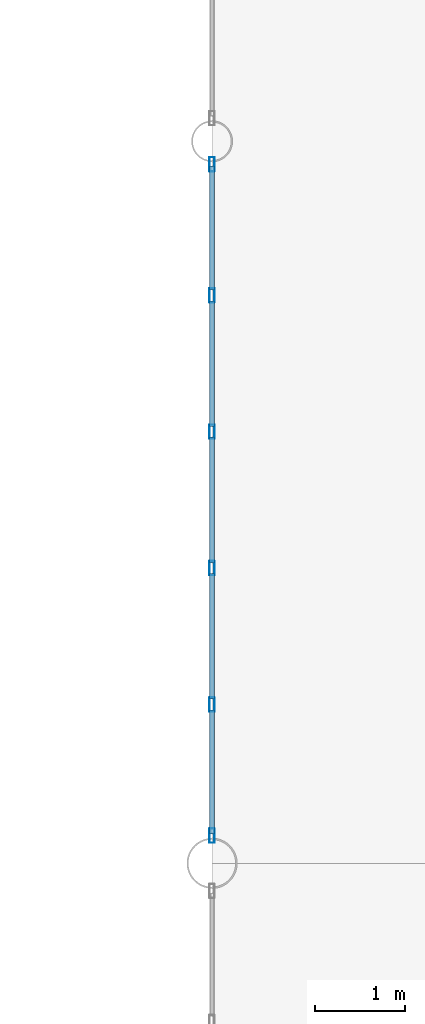
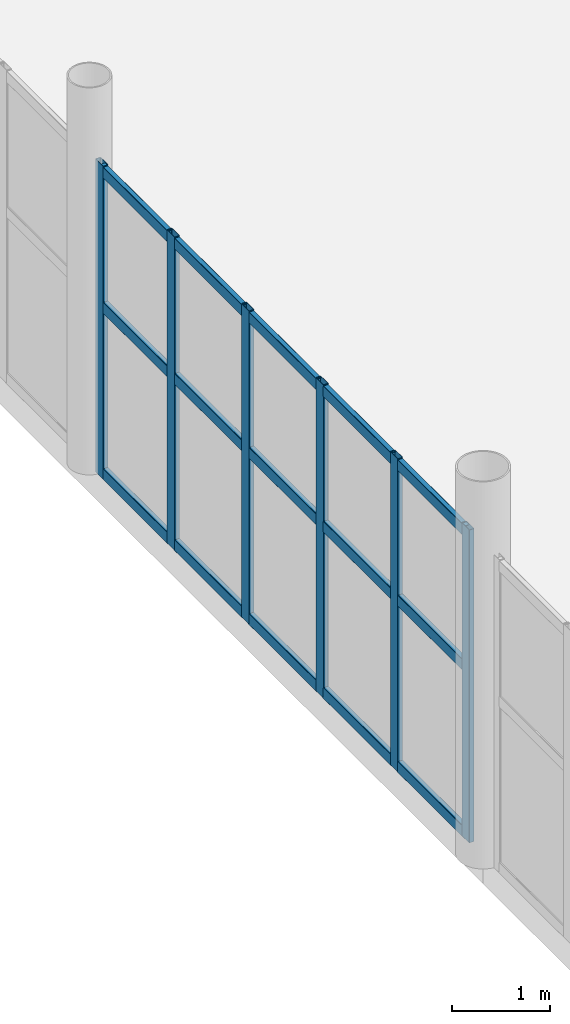
# One storey, part 42 of 178: 21 members, 1 element without a shape of its own.
"""IFC4 building model written with IfcOpenShell, lengths in metres."""

import ifcopenshell
import ifcopenshell.guid

model = None  # the IFC model being written
_history = None  # IfcOwnerHistory: only IFC2X3 demands one
_inside = {}  # id of a spatial element -> (the spatial element, [elements in it])
_under = {}  # id of a project, library or spatial element -> (it, [spatial elements below it])
_declared = {}  # id of a project -> (the project, [libraries it declares])
_typed = {}  # id of a type object -> (the type object, [elements of that type])
_made_of = {}  # id of a material, layer set ... -> (it, [elements and type objects made of it])


def new_model(schema):
    """Start an empty IFC model of exactly this schema.

    Asked for "IFC4X3", IfcOpenShell would pick the latest addendum, in which some entities
    have other attributes; the version numbers below select the first issue.
    IFC2X3 requires an IfcOwnerHistory on every rooted entity: one is made here for all.
    """
    global model, _history
    if schema == "IFC4X3":
        model = ifcopenshell.file(schema_version=(4, 3, 0, 0))
    else:
        model = ifcopenshell.file(schema=schema)
    _inside.clear()
    _under.clear()
    _declared.clear()
    _typed.clear()
    _made_of.clear()
    _history = None
    if model.schema == "IFC2X3":
        org = make("IfcOrganization", Name="unknown")
        user = make(
            "IfcPersonAndOrganization",
            ThePerson=make("IfcPerson", FamilyName="unknown"),
            TheOrganization=org,
        )
        app = make(
            "IfcApplication",
            ApplicationDeveloper=org,
            Version="unknown",
            ApplicationFullName="unknown",
            ApplicationIdentifier="unknown",
        )
        _history = make(
            "IfcOwnerHistory",
            OwningUser=user,
            OwningApplication=app,
            ChangeAction="ADDED",
            CreationDate=0,
        )
    return model


def make(cls, **values):
    """One entity of the class cls with the attributes given. An attribute that is None is left unset."""
    return model.create_entity(
        cls, **{name: value for name, value in values.items() if value is not None}
    )


def rooted(cls, **values):
    """An entity with a GlobalId (a new one), such as an element, a storey or a relation."""
    return make(cls, GlobalId=ifcopenshell.guid.new(), OwnerHistory=_history, **values)


def si_unit(unit_type, name, prefix=None):
    """IfcSIUnit, for example si_unit("LENGTHUNIT", "METRE", prefix="MILLI")."""
    return make("IfcSIUnit", UnitType=unit_type, Prefix=prefix, Name=name)


def derived_unit(unit_type, elements):
    """IfcDerivedUnit: a product of units, each with its exponent."""
    return make(
        "IfcDerivedUnit",
        Elements=[
            make("IfcDerivedUnitElement", Unit=unit, Exponent=power)
            for unit, power in elements
        ],
        UnitType=unit_type,
    )


def assignment(units):
    """IfcUnitAssignment: the units of a project."""
    return None if units is None else make("IfcUnitAssignment", Units=units)


def point(xyz):
    """IfcCartesianPoint."""
    return None if xyz is None else make("IfcCartesianPoint", Coordinates=xyz)


def direction(xyz):
    """IfcDirection."""
    return None if xyz is None else make("IfcDirection", DirectionRatios=xyz)


def frame(location, z_axis=None, x_axis=None):
    """IfcAxis2Placement3D, a coordinate frame: its origin and axes. An axis left out is left unset."""
    return make(
        "IfcAxis2Placement3D",
        Location=point(location),
        Axis=direction(z_axis),
        RefDirection=direction(x_axis),
    )


def frame_2d(location, x_axis=None):
    """IfcAxis2Placement2D, a coordinate frame in the plane: its origin and x axis."""
    return make(
        "IfcAxis2Placement2D", Location=point(location), RefDirection=direction(x_axis)
    )


def origin():
    """The frame at (0, 0, 0) with its axes left unset."""
    return frame((0.0, 0.0, 0.0))


def origin_2d():
    """The frame at (0, 0) in the plane with its x axis left unset."""
    return frame_2d((0.0, 0.0))


def place(relative_to, where):
    """IfcLocalPlacement: puts the frame where relative to a parent placement (None: the world)."""
    return make(
        "IfcLocalPlacement", PlacementRelTo=relative_to, RelativePlacement=where
    )


def context(
    kind, dimensions, precision=None, world=None, true_north=None, identifier=None
):
    """IfcGeometricRepresentationContext, for example the 3D "Model" context."""
    return make(
        "IfcGeometricRepresentationContext",
        ContextIdentifier=identifier,
        ContextType=kind,
        CoordinateSpaceDimension=dimensions,
        Precision=precision,
        WorldCoordinateSystem=world,
        TrueNorth=true_north,
    )


def subcontext(parent, identifier, kind, view, scale=None):
    """IfcGeometricRepresentationSubContext, for example "Body" below "Model"."""
    return make(
        "IfcGeometricRepresentationSubContext",
        ContextIdentifier=identifier,
        ContextType=kind,
        ParentContext=parent,
        TargetScale=scale,
        TargetView=view,
    )


def project(units=None, contexts=None):
    """IfcProject with its units and contexts."""
    return rooted(
        "IfcProject",
        Name="project",
        RepresentationContexts=contexts,
        UnitsInContext=assignment(units),
    )


def spatial(cls, under=None, at=None, **own):
    """A site, building, storey or space (cls), placed at a placement, below another one or the project."""
    s = rooted(cls, ObjectPlacement=at, **own)
    if under is not None:
        _under.setdefault(under.id(), (under, []))[1].append(s)
    return s


def profile(cls, at=None, kind="AREA", **sizes):
    """A parametric profile (cls). Its sizes go by their IFC names, for example OverallWidth=200.0."""
    return make(cls, ProfileType=kind, Position=at, **sizes)


def hollow_rectangle(**sizes):
    """IfcRectangleHollowProfileDef."""
    return profile("IfcRectangleHollowProfileDef", **sizes)


def extrude(swept, where, along, depth):
    """IfcExtrudedAreaSolid: the profile swept, set in the frame where, extruded along a direction by depth."""
    return make(
        "IfcExtrudedAreaSolid",
        SweptArea=swept,
        Position=where,
        ExtrudedDirection=direction(along),
        Depth=depth,
    )


def shape(context_of_items, identifier, shape_type, items):
    """IfcShapeRepresentation: the items that make up one representation, for example the "Body"."""
    return make(
        "IfcShapeRepresentation",
        ContextOfItems=context_of_items,
        RepresentationIdentifier=identifier,
        RepresentationType=shape_type,
        Items=items,
    )


def material(Name=None, Category=None):
    """IfcMaterial."""
    return make("IfcMaterial", Name=Name, Category=Category)


def material_profile(
    of_material, cross_section, Name=None, Category=None, Priority=None
):
    """IfcMaterialProfile: a cross section and its material."""
    return make(
        "IfcMaterialProfile",
        Name=Name,
        Material=of_material,
        Profile=cross_section,
        Priority=Priority,
        Category=Category,
    )


def profile_set(profiles, Name=None, composite=None):
    """IfcMaterialProfileSet."""
    return make(
        "IfcMaterialProfileSet",
        Name=Name,
        MaterialProfiles=profiles,
        CompositeProfile=composite,
    )


def made_of(thing, what):
    """Note that an element or type object is made of a material, layer set ...; save() writes the relation."""
    if what is not None:
        _made_of.setdefault(what.id(), (what, []))[1].append(thing)
    return thing


def type_object(cls, material=None, **own):
    """A type object (cls), such as IfcWallType, which elements share."""
    return made_of(rooted(cls, **own), material)


def element(
    cls,
    number,
    at=None,
    inside=None,
    cuts=None,
    type_object=None,
    material=None,
    context=None,
    identifier="Body",
    shape_type=None,
    held_by="IfcProductDefinitionShape",
    body=None,
    shapes=None,
    **own,
):
    """One element of the class cls, such as IfcWall. Its Tag is "e" and its number.

    at: its placement. inside: the storey or other place that contains it. cuts: it is an
    opening in that element (IfcRelVoidsElement). A single representation is given by context,
    identifier, shape_type and body (its items); several are given by shapes. held_by: the class
    of the entity that holds the representations. save() writes the other relations.
    """
    e = rooted(cls, Tag="e%d" % number, ObjectPlacement=at, **own)
    if body is not None:
        shapes = [shape(context, identifier, shape_type, body)]
    if shapes is not None:
        e.Representation = make(held_by, Representations=shapes)
    if inside is not None:
        _inside.setdefault(inside.id(), (inside, []))[1].append(e)
    if cuts is not None:
        rooted(
            "IfcRelVoidsElement", RelatingBuildingElement=cuts, RelatedOpeningElement=e
        )
    if type_object is not None:
        _typed.setdefault(type_object.id(), (type_object, []))[1].append(e)
    return made_of(e, material)


def aggregate(whole, parts):
    """IfcRelAggregates: a whole, such as a stair, and the parts it consists of."""
    return rooted("IfcRelAggregates", RelatingObject=whole, RelatedObjects=parts)


def save(model, path):
    """Write the relations noted so far, then the file.

    IfcRelAggregates (storeys below a building ...), IfcRelContainedInSpatialStructure (elements
    in a storey), IfcRelDefinesByType, IfcRelAssociatesMaterial and IfcRelDeclares: one each for
    every whole, place, type object, material and project.
    """
    for whole, parts in _under.values():
        aggregate(whole, parts)
    for where, things in _inside.values():
        rooted(
            "IfcRelContainedInSpatialStructure",
            RelatedElements=things,
            RelatingStructure=where,
        )
    for kind, things in _typed.values():
        rooted("IfcRelDefinesByType", RelatedObjects=things, RelatingType=kind)
    for what, things in _made_of.values():
        rooted("IfcRelAssociatesMaterial", RelatedObjects=things, RelatingMaterial=what)
    for by, libraries in _declared.values():
        rooted("IfcRelDeclares", RelatingContext=by, RelatedDefinitions=libraries)
    model.write(path)


model = new_model("IFC4")

# Units and contexts
model_context = context("Model", 3, precision=1e-05, world=origin(), true_north=direction((0.0, 1.0)))
body_context = subcontext(model_context, "Body", "Model", "MODEL_VIEW")
ifc_project = project(units=[si_unit("LENGTHUNIT", "METRE"), si_unit("AREAUNIT", "SQUARE_METRE"), si_unit("VOLUMEUNIT", "CUBIC_METRE"), si_unit("PLANEANGLEUNIT", "RADIAN"), si_unit("MASSUNIT", "GRAM", prefix="KILO"), derived_unit("THERMALTRANSMITTANCEUNIT", [(si_unit("MASSUNIT", "GRAM", prefix="KILO"), 1), (si_unit("TIMEUNIT", "SECOND"), -3), (si_unit("THERMODYNAMICTEMPERATUREUNIT", "KELVIN"), -1)])], contexts=[model_context])

# Site, building, storey
site_placement = place(None, origin())
site = spatial("IfcSite", under=ifc_project, at=site_placement, CompositionType="ELEMENT")
building_placement = place(site_placement, origin())
building = spatial("IfcBuilding", under=site, at=building_placement, Name="Zhenchuan Archway Interchange", CompositionType="ELEMENT")
storey_placement = place(building_placement, frame((0.0, 0.0, 5.39990234375)))
storey = spatial("IfcBuildingStorey", under=building, at=storey_placement, Name="L01", CompositionType="ELEMENT", Elevation=5.39990234375)

# Curtain wall, members
ifc_material = material(Name="Anodised Aluminium", Category="aluminium")
curtain_wall_type = type_object("IfcCurtainWallType", Name="CW_UNIT_2", PredefinedType="NOTDEFINED", material=ifc_material)
curtain_wall_placement = place(storey_placement, origin())
curtain_wall = element("IfcCurtainWall", 1, at=curtain_wall_placement, inside=storey, type_object=curtain_wall_type, Name="Unitised curtain wall CW:L01:033", PredefinedType="NOTDEFINED")
ifc_material_profile_1 = material_profile(ifc_material, hollow_rectangle(XDim=0.06005859375, YDim=0.159912109375, WallThickness=0.00390625, InnerFilletRadius=0.00390625, OuterFilletRadius=0.008056640625, at=origin_2d()), Name="ALU 160x60x4")
ifc_profile_set_1 = profile_set([ifc_material_profile_1], Name="Anodised Aluminium")
member_type_1 = type_object("IfcMemberType", Name="CW_MUL_150", PredefinedType="MULLION", material=ifc_profile_set_1)
member_1_placement = place(storey_placement, frame((18.0, 56.306396484375, 0.0), z_axis=(0.0, 0.0, 1.0), x_axis=(1.0, 0.0, 0.0)))
member_1 = element("IfcMember", 2, at=member_1_placement, type_object=member_type_1, Name="CW:L01:033 mullion 0", PredefinedType="MULLION", context=body_context, shape_type="SweptSolid", body=[
    extrude(hollow_rectangle(XDim=0.06005859375, YDim=0.159912109375, WallThickness=0.00390625, InnerFilletRadius=0.00390625, OuterFilletRadius=0.008056640625, at=origin_2d()), origin(), (0.0, 0.0, 1.0), 3.880126953125),
])
member_2_placement = place(storey_placement, frame((18.0, 57.758056640625, 0.0), z_axis=(0.0, 0.0, 1.0), x_axis=(1.0, 0.0, 0.0)))
member_2 = element("IfcMember", 3, at=member_2_placement, type_object=member_type_1, Name="CW:L01:033 mullion 1", PredefinedType="MULLION", context=body_context, shape_type="SweptSolid", body=[
    extrude(hollow_rectangle(XDim=0.06005859375, YDim=0.159912109375, WallThickness=0.00390625, InnerFilletRadius=0.00390625, OuterFilletRadius=0.008056640625, at=origin_2d()), origin(), (0.0, 0.0, 1.0), 3.880126953125),
])
member_3_placement = place(storey_placement, frame((18.0, 59.269775390625, 0.0), z_axis=(0.0, 0.0, 1.0), x_axis=(1.0, 0.0, 0.0)))
member_3 = element("IfcMember", 4, at=member_3_placement, type_object=member_type_1, Name="CW:L01:033 mullion 2", PredefinedType="MULLION", context=body_context, shape_type="SweptSolid", body=[
    extrude(hollow_rectangle(XDim=0.06005859375, YDim=0.159912109375, WallThickness=0.00390625, InnerFilletRadius=0.00390625, OuterFilletRadius=0.008056640625, at=origin_2d()), origin(), (0.0, 0.0, 1.0), 3.880126953125),
])
member_4_placement = place(storey_placement, frame((18.0, 60.78125, 0.0), z_axis=(0.0, 0.0, 1.0), x_axis=(1.0, 0.0, 0.0)))
member_4 = element("IfcMember", 5, at=member_4_placement, type_object=member_type_1, Name="CW:L01:033 mullion 3", PredefinedType="MULLION", context=body_context, shape_type="SweptSolid", body=[
    extrude(hollow_rectangle(XDim=0.06005859375, YDim=0.159912109375, WallThickness=0.00390625, InnerFilletRadius=0.00390625, OuterFilletRadius=0.008056640625, at=origin_2d()), origin(), (0.0, 0.0, 1.0), 3.880126953125),
])
member_5_placement = place(storey_placement, frame((18.0, 62.29296875, 0.0), z_axis=(0.0, 0.0, 1.0), x_axis=(1.0, 0.0, 0.0)))
member_5 = element("IfcMember", 6, at=member_5_placement, type_object=member_type_1, Name="CW:L01:033 mullion 4", PredefinedType="MULLION", context=body_context, shape_type="SweptSolid", body=[
    extrude(hollow_rectangle(XDim=0.06005859375, YDim=0.159912109375, WallThickness=0.00390625, InnerFilletRadius=0.00390625, OuterFilletRadius=0.008056640625, at=origin_2d()), origin(), (0.0, 0.0, 1.0), 3.880126953125),
])
member_6_placement = place(storey_placement, frame((18.0, 63.744384765625, 0.0), z_axis=(0.0, 0.0, 1.0), x_axis=(1.0, 0.0, 0.0)))
member_6 = element("IfcMember", 7, at=member_6_placement, type_object=member_type_1, Name="CW:L01:033 mullion 5", PredefinedType="MULLION", context=body_context, shape_type="SweptSolid", body=[
    extrude(hollow_rectangle(XDim=0.06005859375, YDim=0.159912109375, WallThickness=0.00390625, InnerFilletRadius=0.00390625, OuterFilletRadius=0.008056640625, at=origin_2d()), origin(), (0.0, 0.0, 1.0), 3.880126953125),
])
ifc_material_profile_2 = material_profile(ifc_material, hollow_rectangle(XDim=0.06005859375, YDim=0.139892578125, WallThickness=0.00341796875, InnerFilletRadius=0.00341796875, OuterFilletRadius=0.007080078125, at=origin_2d()), Name="ALU 140x60x3.5")
ifc_profile_set_2 = profile_set([ifc_material_profile_2], Name="Anodised Aluminium")
member_type_2 = type_object("IfcMemberType", Name="CW_TRN_140", PredefinedType="USERDEFINED", material=ifc_profile_set_2)
member_7_placement = place(storey_placement, frame((18.0, 56.326416015625, 0.06005859375), z_axis=(0.0, 1.0, 0.0), x_axis=(-1.0, 0.0, 0.0)))
member_7 = element("IfcMember", 8, at=member_7_placement, type_object=member_type_2, Name="CW:L01:033 transom 0-1", ObjectType="TRANSOM", PredefinedType="USERDEFINED", context=body_context, shape_type="SweptSolid", body=[
    extrude(hollow_rectangle(XDim=0.06005859375, YDim=0.139892578125, WallThickness=0.00341796875, InnerFilletRadius=0.00341796875, OuterFilletRadius=0.007080078125, at=origin_2d()), origin(), (0.0, 0.0, 1.0), 1.37158203125),
])
member_8_placement = place(storey_placement, frame((18.0, 56.326416015625, 2.123046875), z_axis=(0.0, 1.0, 0.0), x_axis=(-1.0, 0.0, 0.0)))
member_8 = element("IfcMember", 9, at=member_8_placement, type_object=member_type_2, Name="CW:L01:033 transom 0-2", ObjectType="TRANSOM", PredefinedType="USERDEFINED", context=body_context, shape_type="SweptSolid", body=[
    extrude(hollow_rectangle(XDim=0.06005859375, YDim=0.139892578125, WallThickness=0.00341796875, InnerFilletRadius=0.00341796875, OuterFilletRadius=0.007080078125, at=origin_2d()), origin(), (0.0, 0.0, 1.0), 1.37158203125),
])
member_9_placement = place(storey_placement, frame((18.0, 56.326416015625, 3.800048828125), z_axis=(0.0, 1.0, 0.0), x_axis=(-1.0, 0.0, 0.0)))
member_9 = element("IfcMember", 10, at=member_9_placement, type_object=member_type_2, Name="CW:L01:033 transom 0-3", ObjectType="TRANSOM", PredefinedType="USERDEFINED", context=body_context, shape_type="SweptSolid", body=[
    extrude(hollow_rectangle(XDim=0.06005859375, YDim=0.139892578125, WallThickness=0.00341796875, InnerFilletRadius=0.00341796875, OuterFilletRadius=0.007080078125, at=origin_2d()), origin(), (0.0, 0.0, 1.0), 1.37158203125),
])
member_10_placement = place(storey_placement, frame((18.0, 57.818115234375, 0.06005859375), z_axis=(0.0, 1.0, 0.0), x_axis=(-1.0, 0.0, 0.0)))
member_10 = element("IfcMember", 11, at=member_10_placement, type_object=member_type_2, Name="CW:L01:033 transom 1-1", ObjectType="TRANSOM", PredefinedType="USERDEFINED", context=body_context, shape_type="SweptSolid", body=[
    extrude(hollow_rectangle(XDim=0.06005859375, YDim=0.139892578125, WallThickness=0.00341796875, InnerFilletRadius=0.00341796875, OuterFilletRadius=0.007080078125, at=origin_2d()), origin(), (0.0, 0.0, 1.0), 1.3916015625),
])
member_11_placement = place(storey_placement, frame((18.0, 57.818115234375, 2.123046875), z_axis=(0.0, 1.0, 0.0), x_axis=(-1.0, 0.0, 0.0)))
member_11 = element("IfcMember", 12, at=member_11_placement, type_object=member_type_2, Name="CW:L01:033 transom 1-2", ObjectType="TRANSOM", PredefinedType="USERDEFINED", context=body_context, shape_type="SweptSolid", body=[
    extrude(hollow_rectangle(XDim=0.06005859375, YDim=0.139892578125, WallThickness=0.00341796875, InnerFilletRadius=0.00341796875, OuterFilletRadius=0.007080078125, at=origin_2d()), origin(), (0.0, 0.0, 1.0), 1.3916015625),
])
member_12_placement = place(storey_placement, frame((18.0, 57.818115234375, 3.800048828125), z_axis=(0.0, 1.0, 0.0), x_axis=(-1.0, 0.0, 0.0)))
member_12 = element("IfcMember", 13, at=member_12_placement, type_object=member_type_2, Name="CW:L01:033 transom 1-3", ObjectType="TRANSOM", PredefinedType="USERDEFINED", context=body_context, shape_type="SweptSolid", body=[
    extrude(hollow_rectangle(XDim=0.06005859375, YDim=0.139892578125, WallThickness=0.00341796875, InnerFilletRadius=0.00341796875, OuterFilletRadius=0.007080078125, at=origin_2d()), origin(), (0.0, 0.0, 1.0), 1.3916015625),
])
member_13_placement = place(storey_placement, frame((18.0, 59.32958984375, 0.06005859375), z_axis=(0.0, 1.0, 0.0), x_axis=(-1.0, 0.0, 0.0)))
member_13 = element("IfcMember", 14, at=member_13_placement, type_object=member_type_2, Name="CW:L01:033 transom 2-1", ObjectType="TRANSOM", PredefinedType="USERDEFINED", context=body_context, shape_type="SweptSolid", body=[
    extrude(hollow_rectangle(XDim=0.06005859375, YDim=0.139892578125, WallThickness=0.00341796875, InnerFilletRadius=0.00341796875, OuterFilletRadius=0.007080078125, at=origin_2d()), origin(), (0.0, 0.0, 1.0), 1.3916015625),
])
member_14_placement = place(storey_placement, frame((18.0, 59.32958984375, 2.123046875), z_axis=(0.0, 1.0, 0.0), x_axis=(-1.0, 0.0, 0.0)))
member_14 = element("IfcMember", 15, at=member_14_placement, type_object=member_type_2, Name="CW:L01:033 transom 2-2", ObjectType="TRANSOM", PredefinedType="USERDEFINED", context=body_context, shape_type="SweptSolid", body=[
    extrude(hollow_rectangle(XDim=0.06005859375, YDim=0.139892578125, WallThickness=0.00341796875, InnerFilletRadius=0.00341796875, OuterFilletRadius=0.007080078125, at=origin_2d()), origin(), (0.0, 0.0, 1.0), 1.3916015625),
])
member_15_placement = place(storey_placement, frame((18.0, 59.32958984375, 3.800048828125), z_axis=(0.0, 1.0, 0.0), x_axis=(-1.0, 0.0, 0.0)))
member_15 = element("IfcMember", 16, at=member_15_placement, type_object=member_type_2, Name="CW:L01:033 transom 2-3", ObjectType="TRANSOM", PredefinedType="USERDEFINED", context=body_context, shape_type="SweptSolid", body=[
    extrude(hollow_rectangle(XDim=0.06005859375, YDim=0.139892578125, WallThickness=0.00341796875, InnerFilletRadius=0.00341796875, OuterFilletRadius=0.007080078125, at=origin_2d()), origin(), (0.0, 0.0, 1.0), 1.3916015625),
])
member_16_placement = place(storey_placement, frame((18.0, 60.84130859375, 0.06005859375), z_axis=(0.0, 1.0, 0.0), x_axis=(-1.0, 0.0, 0.0)))
member_16 = element("IfcMember", 17, at=member_16_placement, type_object=member_type_2, Name="CW:L01:033 transom 3-1", ObjectType="TRANSOM", PredefinedType="USERDEFINED", context=body_context, shape_type="SweptSolid", body=[
    extrude(hollow_rectangle(XDim=0.06005859375, YDim=0.139892578125, WallThickness=0.00341796875, InnerFilletRadius=0.00341796875, OuterFilletRadius=0.007080078125, at=origin_2d()), origin(), (0.0, 0.0, 1.0), 1.3916015625),
])
member_17_placement = place(storey_placement, frame((18.0, 60.84130859375, 2.123046875), z_axis=(0.0, 1.0, 0.0), x_axis=(-1.0, 0.0, 0.0)))
member_17 = element("IfcMember", 18, at=member_17_placement, type_object=member_type_2, Name="CW:L01:033 transom 3-2", ObjectType="TRANSOM", PredefinedType="USERDEFINED", context=body_context, shape_type="SweptSolid", body=[
    extrude(hollow_rectangle(XDim=0.06005859375, YDim=0.139892578125, WallThickness=0.00341796875, InnerFilletRadius=0.00341796875, OuterFilletRadius=0.007080078125, at=origin_2d()), origin(), (0.0, 0.0, 1.0), 1.3916015625),
])
member_18_placement = place(storey_placement, frame((18.0, 60.84130859375, 3.800048828125), z_axis=(0.0, 1.0, 0.0), x_axis=(-1.0, 0.0, 0.0)))
member_18 = element("IfcMember", 19, at=member_18_placement, type_object=member_type_2, Name="CW:L01:033 transom 3-3", ObjectType="TRANSOM", PredefinedType="USERDEFINED", context=body_context, shape_type="SweptSolid", body=[
    extrude(hollow_rectangle(XDim=0.06005859375, YDim=0.139892578125, WallThickness=0.00341796875, InnerFilletRadius=0.00341796875, OuterFilletRadius=0.007080078125, at=origin_2d()), origin(), (0.0, 0.0, 1.0), 1.3916015625),
])
member_19_placement = place(storey_placement, frame((18.0, 62.352783203125, 0.06005859375), z_axis=(0.0, 1.0, 0.0), x_axis=(-1.0, 0.0, 0.0)))
member_19 = element("IfcMember", 20, at=member_19_placement, type_object=member_type_2, Name="CW:L01:033 transom 4-1", ObjectType="TRANSOM", PredefinedType="USERDEFINED", context=body_context, shape_type="SweptSolid", body=[
    extrude(hollow_rectangle(XDim=0.06005859375, YDim=0.139892578125, WallThickness=0.00341796875, InnerFilletRadius=0.00341796875, OuterFilletRadius=0.007080078125, at=origin_2d()), origin(), (0.0, 0.0, 1.0), 1.371826171875),
])
member_20_placement = place(storey_placement, frame((18.0, 62.352783203125, 2.123046875), z_axis=(0.0, 1.0, 0.0), x_axis=(-1.0, 0.0, 0.0)))
member_20 = element("IfcMember", 21, at=member_20_placement, type_object=member_type_2, Name="CW:L01:033 transom 4-2", ObjectType="TRANSOM", PredefinedType="USERDEFINED", context=body_context, shape_type="SweptSolid", body=[
    extrude(hollow_rectangle(XDim=0.06005859375, YDim=0.139892578125, WallThickness=0.00341796875, InnerFilletRadius=0.00341796875, OuterFilletRadius=0.007080078125, at=origin_2d()), origin(), (0.0, 0.0, 1.0), 1.371826171875),
])
member_21_placement = place(storey_placement, frame((18.0, 62.352783203125, 3.800048828125), z_axis=(0.0, 1.0, 0.0), x_axis=(-1.0, 0.0, 0.0)))
member_21 = element("IfcMember", 22, at=member_21_placement, type_object=member_type_2, Name="CW:L01:033 transom 4-3", ObjectType="TRANSOM", PredefinedType="USERDEFINED", context=body_context, shape_type="SweptSolid", body=[
    extrude(hollow_rectangle(XDim=0.06005859375, YDim=0.139892578125, WallThickness=0.00341796875, InnerFilletRadius=0.00341796875, OuterFilletRadius=0.007080078125, at=origin_2d()), origin(), (0.0, 0.0, 1.0), 1.371826171875),
])
aggregate(curtain_wall, [member_1, member_2, member_3, member_4, member_5, member_6, member_7, member_8, member_9, member_10, member_11, member_12, member_13, member_14, member_15, member_16, member_17, member_18, member_19, member_20, member_21])

save(model, "model.ifc")
